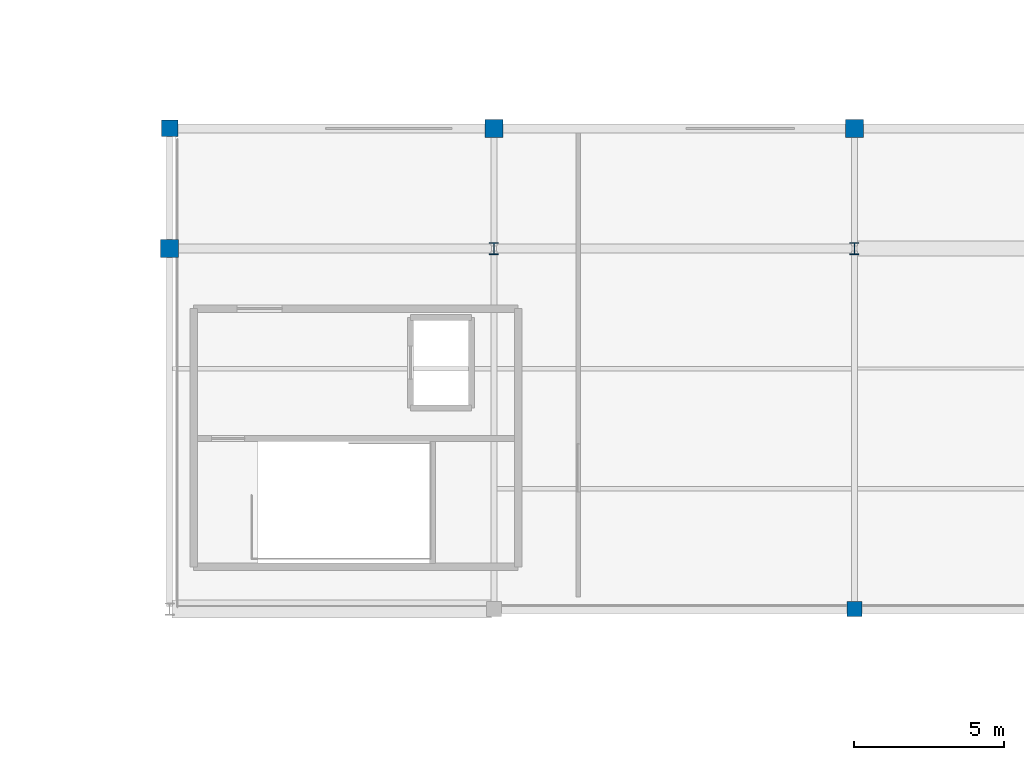
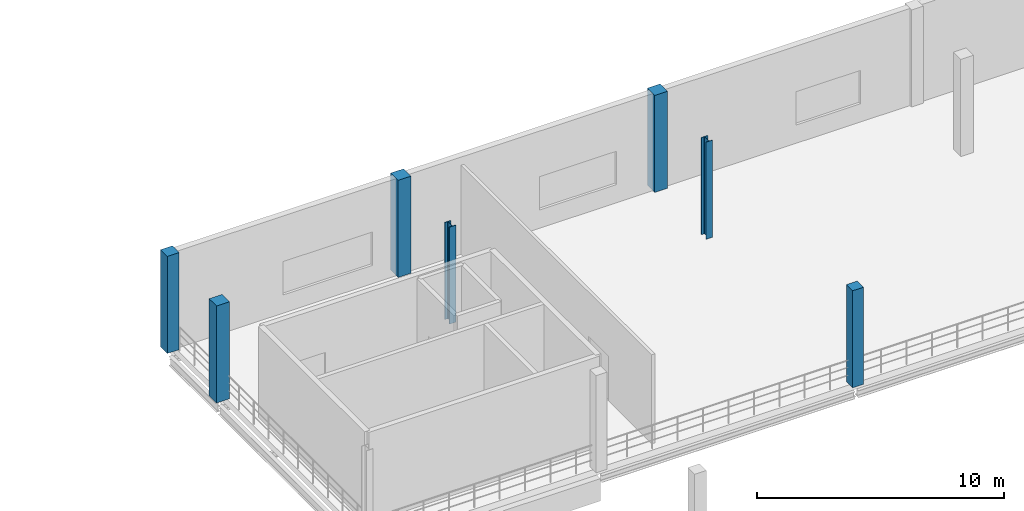
# One storey, part 8 of 52: 7 columns.
"""IFC4 building model written with IfcOpenShell, lengths in metres."""

from ifc_helpers import new_model, si_unit, direction, frame, origin, origin_2d, place, context, subcontext, project, spatial, rectangle, i_section, extrude, material, material_profile, profile_set, type_object, element, save


model = new_model("IFC4")

# Units and contexts
model_context = context("Model", 3, precision=1e-05, world=origin(), true_north=direction((0.0, 1.0)))
body_context = subcontext(model_context, "Body", "Model", "MODEL_VIEW")
ifc_project = project(units=[si_unit("LENGTHUNIT", "METRE"), si_unit("AREAUNIT", "SQUARE_METRE"), si_unit("VOLUMEUNIT", "CUBIC_METRE"), si_unit("PLANEANGLEUNIT", "RADIAN"), si_unit("MASSUNIT", "GRAM", prefix="KILO"), si_unit("THERMODYNAMICTEMPERATUREUNIT", "KELVIN"), si_unit("POWERUNIT", "WATT")], contexts=[model_context])

# Site, building, storey
site_placement = place(None, origin())
site = spatial("IfcSite", under=ifc_project, at=site_placement, CompositionType="ELEMENT")
building_placement = place(site_placement, origin())
building = spatial("IfcBuilding", under=site, at=building_placement, Name="Solmara Park Aquatics Centre", CompositionType="ELEMENT")
storey_placement = place(building_placement, frame((0.0, 0.0, 9.60009765625)))
storey = spatial("IfcBuildingStorey", under=building, at=storey_placement, Name="L02", CompositionType="ELEMENT", Elevation=9.60009765625)

# Columns
ifc_material_1 = material(Name="Structural Steel S355", Category="steel")
ifc_material_profile_1 = material_profile(ifc_material_1, i_section(OverallWidth=0.300048828125, OverallDepth=0.39990234375, WebThickness=0.013427734375, FlangeThickness=0.02392578125, FilletRadius=0.027099609375, at=origin_2d()), Name="HEB 400")
ifc_profile_set_1 = profile_set([ifc_material_profile_1], Name="Structural Steel S355")
column_type_1 = type_object("IfcColumnType", Name="STR-COL-HEB400", PredefinedType="COLUMN", material=ifc_profile_set_1)
for number, where, z_axis, x_axis, name in (
    (1, (120.0, 48.60009765625, 0.0), (0.0, 0.0, 1.0), (1.0, 0.0, 0.0), "Column L02-0540"),
    (2, (132.0, 48.60009765625, 0.0), (0.0, 0.0, 1.0), (1.0, 0.0, 0.0), "Column L02-0548"),
):
    element("IfcColumn", number, at=place(storey_placement, frame(where, z_axis=z_axis, x_axis=x_axis)), inside=storey, type_object=column_type_1, Name=name, PredefinedType="COLUMN", context=body_context, shape_type="SweptSolid", body=[
        extrude(i_section(OverallWidth=0.300048828125, OverallDepth=0.39990234375, WebThickness=0.013427734375, FlangeThickness=0.02392578125, FilletRadius=0.027099609375, at=origin_2d()), origin(), (0.0, 0.0, 1.0), 4.7998046875),
    ])
ifc_material_2 = material(Name="Concrete C40/50", Category="concrete")
ifc_material_profile_2 = material_profile(ifc_material_2, rectangle(XDim=0.5, YDim=0.5, at=origin_2d()), Name="RC 500x500")
ifc_profile_set_2 = profile_set([ifc_material_profile_2], Name="Concrete C40/50")
column_type_2 = type_object("IfcColumnType", Name="STR-COL-RC500", PredefinedType="COLUMN", material=ifc_profile_set_2)
column_1_placement = place(storey_placement, frame((132.0, 36.60009765625, 0.0), z_axis=(0.0, 0.0, 1.0), x_axis=(1.0, 0.0, 0.0)))
element("IfcColumn", 3, at=column_1_placement, inside=storey, type_object=column_type_2, Name="Column L02-0547", PredefinedType="COLUMN", context=body_context, shape_type="SweptSolid", body=[
    extrude(rectangle(XDim=0.5, YDim=0.5, at=origin_2d()), origin(), (0.0, 0.0, 1.0), 4.7998046875),
])
ifc_material_profile_3 = material_profile(ifc_material_2, rectangle(XDim=0.550048828125, YDim=0.550048828125, at=origin_2d()), Name="RC 550x550")
ifc_profile_set_3 = profile_set([ifc_material_profile_3], Name="Concrete C40/50")
column_type_3 = type_object("IfcColumnType", Name="STR-COL-RC550", PredefinedType="COLUMN", material=ifc_profile_set_3)
column_2_placement = place(storey_placement, frame((109.199951171875, 52.60009765625, 0.0), z_axis=(0.0, 0.0, 1.0), x_axis=(1.0, 0.0, 0.0)))
element("IfcColumn", 4, at=column_2_placement, inside=storey, type_object=column_type_3, Name="Column L02-0530", PredefinedType="COLUMN", context=body_context, shape_type="SweptSolid", body=[
    extrude(rectangle(XDim=0.550048828125, YDim=0.550048828125, at=origin_2d()), origin(), (0.0, 0.0, 1.0), 4.7998046875),
])
ifc_material_profile_4 = material_profile(ifc_material_2, rectangle(XDim=0.60009765625, YDim=0.60009765625, at=origin_2d()), Name="RC 600x600")
ifc_profile_set_4 = profile_set([ifc_material_profile_4], Name="Concrete C40/50")
column_type_4 = type_object("IfcColumnType", Name="STR-COL-RC600", PredefinedType="COLUMN", material=ifc_profile_set_4)
for number, where, z_axis, x_axis, name in (
    (5, (109.199951171875, 48.60009765625, 0.0), (0.0, 0.0, 1.0), (1.0, 0.0, 0.0), "Column L02-0529"),
    (6, (120.0, 52.60009765625, 0.0), (0.0, 0.0, 1.0), (1.0, 0.0, 0.0), "Column L02-0541"),
    (7, (132.0, 52.60009765625, 0.0), (0.0, 0.0, 1.0), (1.0, 0.0, 0.0), "Column L02-0549"),
):
    element("IfcColumn", number, at=place(storey_placement, frame(where, z_axis=z_axis, x_axis=x_axis)), inside=storey, type_object=column_type_4, Name=name, PredefinedType="COLUMN", context=body_context, shape_type="SweptSolid", body=[
        extrude(rectangle(XDim=0.60009765625, YDim=0.60009765625, at=origin_2d()), origin(), (0.0, 0.0, 1.0), 4.7998046875),
    ])

save(model, "model.ifc")
